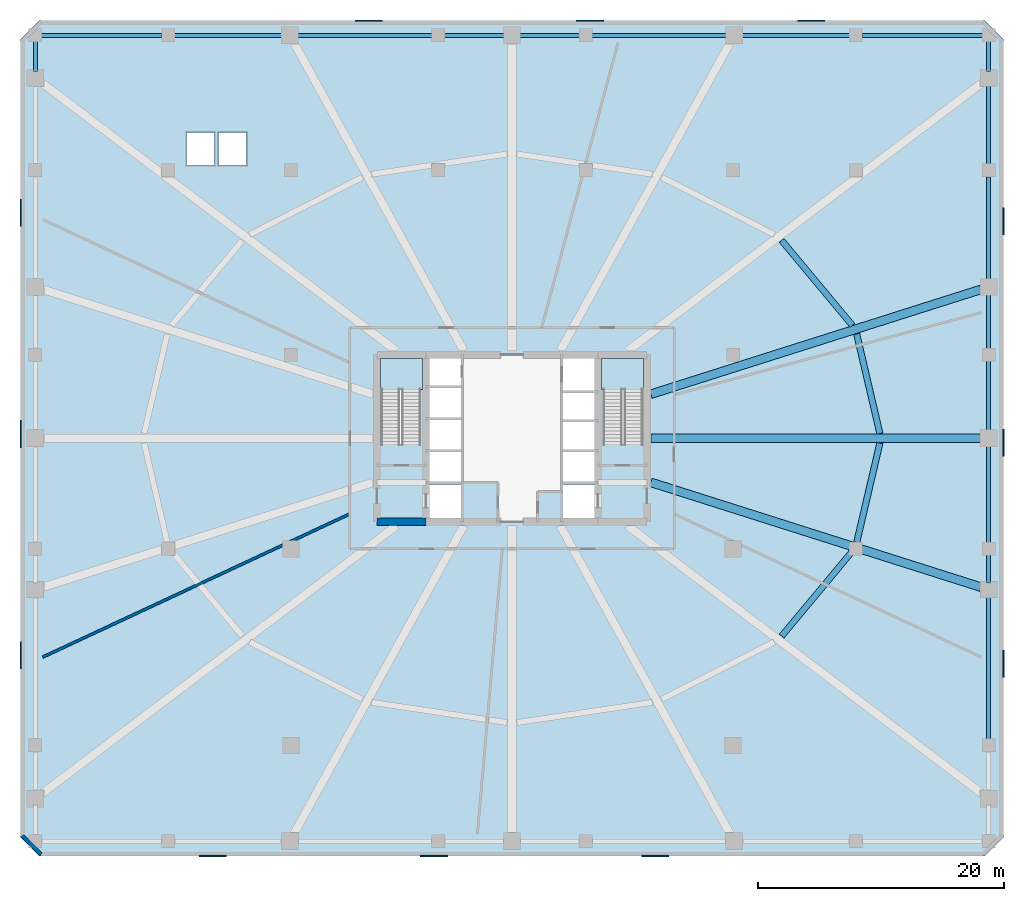
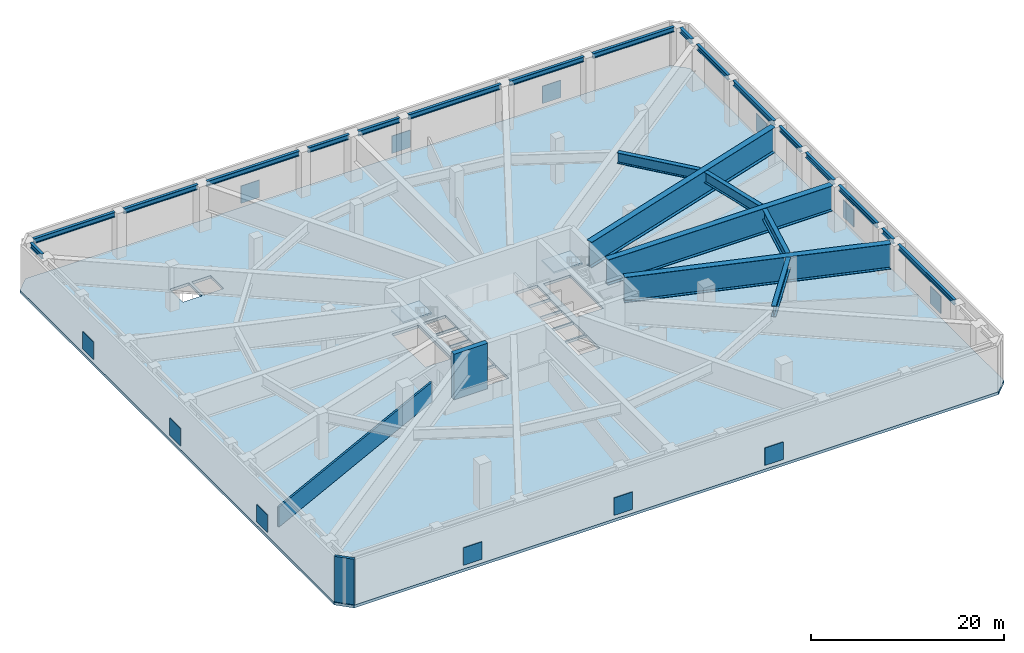
# One storey, part 2 of 9: 24 beams, 12 plates, 3 slabs, 3 walls, 2 elements without a shape of their own.
"""IFC4 building model written with IfcOpenShell, lengths in metres."""

from ifc_helpers import new_model, si_unit, direction, frame, frame_2d, origin, origin_2d, place, context, subcontext, project, spatial, polyline, rectangle, i_section, outline, extrude, material, layer, layer_set, material_profile, profile_set, type_object, element, aggregate, save


model = new_model("IFC4")

# Units and contexts
model_context = context("Model", 3, precision=1e-05, world=origin(), true_north=direction((0.0, 1.0)))
body_context = subcontext(model_context, "Body", "Model", "MODEL_VIEW")
ifc_project = project(units=[si_unit("LENGTHUNIT", "METRE"), si_unit("AREAUNIT", "SQUARE_METRE"), si_unit("VOLUMEUNIT", "CUBIC_METRE"), si_unit("PLANEANGLEUNIT", "RADIAN"), si_unit("MASSUNIT", "GRAM", prefix="KILO")], contexts=[model_context])

# Site, building, storey
site_placement = place(None, origin())
site = spatial("IfcSite", under=ifc_project, at=site_placement, CompositionType="ELEMENT")
building_placement = place(site_placement, origin())
building = spatial("IfcBuilding", under=site, at=building_placement, Name="Sarneth Arch Tower", CompositionType="ELEMENT")
storey_placement = place(building_placement, frame((0.0, 0.0, 22.199951171875)))
storey = spatial("IfcBuildingStorey", under=building, at=storey_placement, Name="L04", CompositionType="ELEMENT", Elevation=22.199951171875)

# Beams
ifc_material_1 = material(Name="Steel S355", Category="steel")
ifc_material_profile_1 = material_profile(ifc_material_1, i_section(OverallWidth=0.3291015625, OverallDepth=0.635009765625, WebThickness=0.017822265625, FlangeThickness=0.031005859375, FilletRadius=0.01904296875, at=origin_2d()), Name="W610x241")
ifc_profile_set_1 = profile_set([ifc_material_profile_1], Name="Steel S355")
beam_type_1 = type_object("IfcBeamType", Name="BM-POD-610", PredefinedType="BEAM", material=ifc_profile_set_1)
beam_1_placement = place(storey_placement, frame((9.719970703125, 74.800048828125, 5.4326171875), z_axis=(1.0, 0.0, 0.0), x_axis=(0.0, 1.0, 0.0)))
element("IfcBeam", 1, at=beam_1_placement, inside=storey, type_object=beam_type_1, Name="L04 Podium PN girder 1", PredefinedType="BEAM", context=body_context, shape_type="SweptSolid", body=[
    extrude(i_section(OverallWidth=0.3291015625, OverallDepth=0.635009765625, WebThickness=0.017822265625, FlangeThickness=0.031005859375, FilletRadius=0.01904296875, at=origin_2d()), origin(), (0.0, 0.0, 1.0), 9.760009765625),
])
beam_2_placement = place(storey_placement, frame((20.52001953125, 74.800048828125, 5.4326171875), z_axis=(1.0, 0.0, 0.0), x_axis=(0.0, 1.0, 0.0)))
element("IfcBeam", 2, at=beam_2_placement, inside=storey, type_object=beam_type_1, Name="L04 Podium PN girder 2", PredefinedType="BEAM", context=body_context, shape_type="SweptSolid", body=[
    extrude(i_section(OverallWidth=0.3291015625, OverallDepth=0.635009765625, WebThickness=0.017822265625, FlangeThickness=0.031005859375, FilletRadius=0.01904296875, at=origin_2d()), origin(), (0.0, 0.0, 1.0), 8.87548828125),
])
beam_3_placement = place(storey_placement, frame((30.435546875, 74.800048828125, 5.4326171875), z_axis=(1.0, 0.0, 0.0), x_axis=(0.0, 1.0, 0.0)))
element("IfcBeam", 3, at=beam_3_placement, inside=storey, type_object=beam_type_1, Name="L04 Podium PN girder 3", PredefinedType="BEAM", context=body_context, shape_type="SweptSolid", body=[
    extrude(i_section(OverallWidth=0.3291015625, OverallDepth=0.635009765625, WebThickness=0.017822265625, FlangeThickness=0.031005859375, FilletRadius=0.01904296875, at=origin_2d()), origin(), (0.0, 0.0, 1.0), 11.04443359375),
])
for number, where, z_axis, x_axis, name in (
    (4, (42.52001953125, 74.800048828125, 5.4326171875), (1.0, 0.0, 0.0), (0.0, 1.0, 0.0), "L04 Podium PN girder 4"),
    (5, (48.52001953125, 74.800048828125, 5.4326171875), (1.0, 0.0, 0.0), (0.0, 1.0, 0.0), "L04 Podium PN girder 5"),
):
    element("IfcBeam", number, at=place(storey_placement, frame(where, z_axis=z_axis, x_axis=x_axis)), inside=storey, type_object=beam_type_1, Name=name, PredefinedType="BEAM", context=body_context, shape_type="SweptSolid", body=[
        extrude(i_section(OverallWidth=0.3291015625, OverallDepth=0.635009765625, WebThickness=0.017822265625, FlangeThickness=0.031005859375, FilletRadius=0.01904296875, at=origin_2d()), origin(), (0.0, 0.0, 1.0), 4.9599609375),
    ])
beam_4_placement = place(storey_placement, frame((54.52001953125, 74.800048828125, 5.4326171875), z_axis=(1.0, 0.0, 0.0), x_axis=(0.0, 1.0, 0.0)))
element("IfcBeam", 6, at=beam_4_placement, inside=storey, type_object=beam_type_1, Name="L04 Podium PN girder 6", PredefinedType="BEAM", context=body_context, shape_type="SweptSolid", body=[
    extrude(i_section(OverallWidth=0.3291015625, OverallDepth=0.635009765625, WebThickness=0.017822265625, FlangeThickness=0.031005859375, FilletRadius=0.01904296875, at=origin_2d()), origin(), (0.0, 0.0, 1.0), 11.04443359375),
])
beam_5_placement = place(storey_placement, frame((66.6044921875, 74.800048828125, 5.4326171875), z_axis=(1.0, 0.0, 0.0), x_axis=(0.0, 1.0, 0.0)))
element("IfcBeam", 7, at=beam_5_placement, inside=storey, type_object=beam_type_1, Name="L04 Podium PN girder 7", PredefinedType="BEAM", context=body_context, shape_type="SweptSolid", body=[
    extrude(i_section(OverallWidth=0.3291015625, OverallDepth=0.635009765625, WebThickness=0.017822265625, FlangeThickness=0.031005859375, FilletRadius=0.01904296875, at=origin_2d()), origin(), (0.0, 0.0, 1.0), 8.87548828125),
])
beam_6_placement = place(storey_placement, frame((76.52001953125, 74.800048828125, 5.4326171875), z_axis=(1.0, 0.0, 0.0), x_axis=(0.0, 1.0, 0.0)))
element("IfcBeam", 8, at=beam_6_placement, inside=storey, type_object=beam_type_1, Name="L04 Podium PN girder 8", PredefinedType="BEAM", context=body_context, shape_type="SweptSolid", body=[
    extrude(i_section(OverallWidth=0.3291015625, OverallDepth=0.635009765625, WebThickness=0.017822265625, FlangeThickness=0.031005859375, FilletRadius=0.01904296875, at=origin_2d()), origin(), (0.0, 0.0, 1.0), 9.760009765625),
])
beam_7_placement = place(storey_placement, frame((9.199951171875, 71.856689453125, 5.4326171875), z_axis=(0.0, 1.0, 0.0), x_axis=(-1.0, 0.0, 0.0)))
element("IfcBeam", 9, at=beam_7_placement, inside=storey, type_object=beam_type_1, Name="L04 Podium PW girder 10", PredefinedType="BEAM", context=body_context, shape_type="SweptSolid", body=[
    extrude(i_section(OverallWidth=0.3291015625, OverallDepth=0.635009765625, WebThickness=0.017822265625, FlangeThickness=0.031005859375, FilletRadius=0.01904296875, at=origin_2d()), origin(), (0.0, 0.0, 1.0), 2.42333984375),
])
beam_8_placement = place(storey_placement, frame((86.800048828125, 17.52001953125, 5.4326171875), z_axis=(0.0, 1.0, 0.0), x_axis=(-1.0, 0.0, 0.0)))
element("IfcBeam", 10, at=beam_8_placement, inside=storey, type_object=beam_type_1, Name="L04 Podium PE girder 3", PredefinedType="BEAM", context=body_context, shape_type="SweptSolid", body=[
    extrude(i_section(OverallWidth=0.3291015625, OverallDepth=0.635009765625, WebThickness=0.017822265625, FlangeThickness=0.031005859375, FilletRadius=0.01904296875, at=origin_2d()), origin(), (0.0, 0.0, 1.0), 11.64208984375),
])
beam_9_placement = place(storey_placement, frame((86.800048828125, 30.2021484375, 5.4326171875), z_axis=(0.0, 1.0, 0.0), x_axis=(-1.0, 0.0, 0.0)))
element("IfcBeam", 11, at=beam_9_placement, inside=storey, type_object=beam_type_1, Name="L04 Podium PE girder 4", PredefinedType="BEAM", context=body_context, shape_type="SweptSolid", body=[
    extrude(i_section(OverallWidth=0.3291015625, OverallDepth=0.635009765625, WebThickness=0.017822265625, FlangeThickness=0.031005859375, FilletRadius=0.01904296875, at=origin_2d()), origin(), (0.0, 0.0, 1.0), 2.27783203125),
])
beam_10_placement = place(storey_placement, frame((86.800048828125, 33.52001953125, 5.4326171875), z_axis=(0.0, 1.0, 0.0), x_axis=(-1.0, 0.0, 0.0)))
element("IfcBeam", 12, at=beam_10_placement, inside=storey, type_object=beam_type_1, Name="L04 Podium PE girder 5", PredefinedType="BEAM", context=body_context, shape_type="SweptSolid", body=[
    extrude(i_section(OverallWidth=0.3291015625, OverallDepth=0.635009765625, WebThickness=0.017822265625, FlangeThickness=0.031005859375, FilletRadius=0.01904296875, at=origin_2d()), origin(), (0.0, 0.0, 1.0), 7.9599609375),
])
beam_11_placement = place(storey_placement, frame((86.800048828125, 42.52001953125, 5.4326171875), z_axis=(0.0, 1.0, 0.0), x_axis=(-1.0, 0.0, 0.0)))
element("IfcBeam", 13, at=beam_11_placement, inside=storey, type_object=beam_type_1, Name="L04 Podium PE girder 6", PredefinedType="BEAM", context=body_context, shape_type="SweptSolid", body=[
    extrude(i_section(OverallWidth=0.3291015625, OverallDepth=0.635009765625, WebThickness=0.017822265625, FlangeThickness=0.031005859375, FilletRadius=0.01904296875, at=origin_2d()), origin(), (0.0, 0.0, 1.0), 5.760009765625),
])
beam_12_placement = place(storey_placement, frame((86.800048828125, 49.320068359375, 5.4326171875), z_axis=(0.0, 1.0, 0.0), x_axis=(-1.0, 0.0, 0.0)))
element("IfcBeam", 14, at=beam_12_placement, inside=storey, type_object=beam_type_1, Name="L04 Podium PE girder 7", PredefinedType="BEAM", context=body_context, shape_type="SweptSolid", body=[
    extrude(i_section(OverallWidth=0.3291015625, OverallDepth=0.635009765625, WebThickness=0.017822265625, FlangeThickness=0.031005859375, FilletRadius=0.01904296875, at=origin_2d()), origin(), (0.0, 0.0, 1.0), 4.477783203125),
])
beam_13_placement = place(storey_placement, frame((86.800048828125, 54.837890625, 5.4326171875), z_axis=(0.0, 1.0, 0.0), x_axis=(-1.0, 0.0, 0.0)))
element("IfcBeam", 15, at=beam_13_placement, inside=storey, type_object=beam_type_1, Name="L04 Podium PE girder 8", PredefinedType="BEAM", context=body_context, shape_type="SweptSolid", body=[
    extrude(i_section(OverallWidth=0.3291015625, OverallDepth=0.635009765625, WebThickness=0.017822265625, FlangeThickness=0.031005859375, FilletRadius=0.01904296875, at=origin_2d()), origin(), (0.0, 0.0, 1.0), 8.442138671875),
])
beam_14_placement = place(storey_placement, frame((86.800048828125, 64.320068359375, 5.4326171875), z_axis=(0.0, 1.0, 0.0), x_axis=(-1.0, 0.0, 0.0)))
element("IfcBeam", 16, at=beam_14_placement, inside=storey, type_object=beam_type_1, Name="L04 Podium PE girder 9", PredefinedType="BEAM", context=body_context, shape_type="SweptSolid", body=[
    extrude(i_section(OverallWidth=0.3291015625, OverallDepth=0.635009765625, WebThickness=0.017822265625, FlangeThickness=0.031005859375, FilletRadius=0.01904296875, at=origin_2d()), origin(), (0.0, 0.0, 1.0), 6.49658203125),
])
beam_15_placement = place(storey_placement, frame((86.800048828125, 71.856689453125, 5.4326171875), z_axis=(0.0, 1.0, 0.0), x_axis=(-1.0, 0.0, 0.0)))
element("IfcBeam", 17, at=beam_15_placement, inside=storey, type_object=beam_type_1, Name="L04 Podium PE girder 10", PredefinedType="BEAM", context=body_context, shape_type="SweptSolid", body=[
    extrude(i_section(OverallWidth=0.3291015625, OverallDepth=0.635009765625, WebThickness=0.017822265625, FlangeThickness=0.031005859375, FilletRadius=0.01904296875, at=origin_2d()), origin(), (0.0, 0.0, 1.0), 2.42333984375),
])
ifc_material_2 = material(Name="Steel S355", Category="steel")
ifc_material_profile_2 = material_profile(ifc_material_2, i_section(OverallWidth=0.5, OverallDepth=1.35009765625, WebThickness=0.02197265625, FlangeThickness=0.044921875, FilletRadius=0.02392578125, at=origin_2d()), Name="CVS1350x595")
ifc_profile_set_2 = profile_set([ifc_material_profile_2], Name="Steel S355")
beam_type_2 = type_object("IfcBeamType", Name="BM-XFER-1350", PredefinedType="BEAM", material=ifc_profile_set_2)
beam_16_placement = place(storey_placement, frame((77.944091796875, 42.3896484375, 5.074951171875), z_axis=(-0.226990172458, 0.973897048772, 0.0), x_axis=(-0.973897048772, -0.226990172458, 0.0)))
element("IfcBeam", 18, at=beam_16_placement, inside=storey, type_object=beam_type_2, Name="L04 Ring transfer tie girder 01", PredefinedType="BEAM", context=body_context, shape_type="SweptSolid", body=[
    extrude(i_section(OverallWidth=0.5, OverallDepth=1.35009765625, WebThickness=0.02197265625, FlangeThickness=0.044921875, FilletRadius=0.02392578125, at=origin_2d()), origin(), (0.0, 0.0, 1.0), 8.316162109375),
])
for number, where, z_axis, x_axis, name in (
    (19, (75.70947265625, 51.185546875, 5.074951171875), (-0.639984157624, 0.768388103753, 0.0), (-0.768388103753, -0.639984157624, 0.0), "L04 Ring transfer tie girder 02"),
    (20, (69.95263671875, 25.902587890625, 5.074951171875), (0.639984157624, 0.768388103753, 0.0), (-0.768388103753, 0.639984157624, 0.0), "L04 Ring transfer tie girder 15"),
):
    element("IfcBeam", number, at=place(storey_placement, frame(where, z_axis=z_axis, x_axis=x_axis)), inside=storey, type_object=beam_type_2, Name=name, PredefinedType="BEAM", context=body_context, shape_type="SweptSolid", body=[
        extrude(i_section(OverallWidth=0.5, OverallDepth=1.35009765625, WebThickness=0.02197265625, FlangeThickness=0.044921875, FilletRadius=0.02392578125, at=origin_2d()), origin(), (0.0, 0.0, 1.0), 8.995361328125),
    ])
beam_17_placement = place(storey_placement, frame((76.056396484375, 33.51123046875, 5.074951171875), z_axis=(0.226990172458, 0.973897048772, 0.0), x_axis=(-0.973897048772, 0.226990172458, 0.0)))
element("IfcBeam", 21, at=beam_17_placement, inside=storey, type_object=beam_type_2, Name="L04 Ring transfer tie girder 16", PredefinedType="BEAM", context=body_context, shape_type="SweptSolid", body=[
    extrude(i_section(OverallWidth=0.5, OverallDepth=1.35009765625, WebThickness=0.02197265625, FlangeThickness=0.044921875, FilletRadius=0.02392578125, at=origin_2d()), origin(), (0.0, 0.0, 1.0), 8.316162109375),
])
ifc_material_3 = material(Name="Steel S355", Category="steel")
ifc_material_profile_3 = material_profile(ifc_material_3, i_section(OverallWidth=0.699951171875, OverallDepth=3.199951171875, WebThickness=0.028076171875, FlangeThickness=0.0400390625, FilletRadius=0.02587890625, at=origin_2d()), Name="CVS3200x1090")
ifc_profile_set_3 = profile_set([ifc_material_profile_3], Name="Steel S355")
beam_type_3 = type_object("IfcBeamType", Name="BM-XFER-3200", PredefinedType="BEAM", material=ifc_profile_set_3)
beam_18_placement = place(storey_placement, frame((59.300048828125, 42.0, 4.150146484375), z_axis=(1.0, 0.0, 0.0), x_axis=(0.0, 1.0, 0.0)))
element("IfcBeam", 22, at=beam_18_placement, inside=storey, type_object=beam_type_3, Name="L04 Radial transfer girder 01", PredefinedType="BEAM", context=body_context, shape_type="SweptSolid", body=[
    extrude(i_section(OverallWidth=0.699951171875, OverallDepth=3.199951171875, WebThickness=0.028076171875, FlangeThickness=0.0400390625, FilletRadius=0.02587890625, at=origin_2d()), origin(), (0.0, 0.0, 1.0), 26.849853515625),
])
for number, where, z_axis, x_axis, name in (
    (23, (59.300048828125, 45.58740234375, 4.150146484375), (0.953119313541, 0.302594735834, 0.0), (-0.302594735834, 0.953119313541, 0.0), "L04 Radial transfer girder 02"),
    (24, (59.300048828125, 38.41259765625, 4.150146484375), (0.953119313541, -0.302594735834, 0.0), (0.302594735834, 0.953119313541, 0.0), "L04 Radial transfer girder 16"),
):
    element("IfcBeam", number, at=place(storey_placement, frame(where, z_axis=z_axis, x_axis=x_axis)), inside=storey, type_object=beam_type_3, Name=name, PredefinedType="BEAM", context=body_context, shape_type="SweptSolid", body=[
        extrude(i_section(OverallWidth=0.699951171875, OverallDepth=3.199951171875, WebThickness=0.028076171875, FlangeThickness=0.0400390625, FilletRadius=0.02587890625, at=origin_2d()), origin(), (0.0, 0.0, 1.0), 28.20263671875),
    ])

# Plates
ifc_material_4 = material(Name="Powder-coated Aluminium 6063-T6 stormproof acoustic louvre", Category="aluminium")
ifc_layer_1 = layer(ifc_material_4, 0.094970703125)
ifc_layer_set_1 = layer_set([ifc_layer_1], Name="Powder-coated Aluminium 6063-T6 stormproof acoustic louvre")
plate_type = type_object("IfcPlateType", Name="LOUVRE-PLANT", PredefinedType="SHEET", material=ifc_layer_set_1)
for number, where, z_axis, x_axis, name in (
    (25, (23.64990234375, 8.0, 0.5), (0.0, 0.0, 1.0), (1.0, 0.0, 0.0), "L04 Plant intake louvre 1.1"),
    (26, (41.64990234375, 8.0, 0.5), (0.0, 0.0, 1.0), (1.0, 0.0, 0.0), "L04 Plant intake louvre 1.2"),
    (27, (59.64990234375, 8.0, 0.5), (0.0, 0.0, 1.0), (1.0, 0.0, 0.0), "L04 Plant intake louvre 1.3"),
    (28, (88.0, 23.64990234375, 0.5), (0.0, 0.0, 1.0), (0.0, 1.0, 0.0), "L04 Plant intake louvre 3.1"),
    (29, (88.0, 41.64990234375, 0.5), (0.0, 0.0, 1.0), (0.0, 1.0, 0.0), "L04 Plant intake louvre 3.2"),
    (30, (88.0, 59.64990234375, 0.5), (0.0, 0.0, 1.0), (0.0, 1.0, 0.0), "L04 Plant intake louvre 3.3"),
    (31, (72.35009765625, 76.0, 0.5), (0.0, 0.0, 1.0), (-1.0, 0.0, 0.0), "L04 Plant intake louvre 5.1"),
    (32, (54.35009765625, 76.0, 0.5), (0.0, 0.0, 1.0), (-1.0, 0.0, 0.0), "L04 Plant intake louvre 5.2"),
    (33, (36.35009765625, 76.0, 0.5), (0.0, 0.0, 1.0), (-1.0, 0.0, 0.0), "L04 Plant intake louvre 5.3"),
    (34, (8.0, 60.35009765625, 0.5), (0.0, 0.0, 1.0), (0.0, -1.0, 0.0), "L04 Plant intake louvre 7.1"),
    (35, (8.0, 42.35009765625, 0.5), (0.0, 0.0, 1.0), (0.0, -1.0, 0.0), "L04 Plant intake louvre 7.2"),
    (36, (8.0, 24.35009765625, 0.5), (0.0, 0.0, 1.0), (0.0, -1.0, 0.0), "L04 Plant intake louvre 7.3"),
):
    element("IfcPlate", number, at=place(storey_placement, frame(where, z_axis=z_axis, x_axis=x_axis)), inside=storey, type_object=plate_type, Name=name, PredefinedType="SHEET", context=body_context, shape_type="SweptSolid", body=[
        extrude(rectangle(XDim=2.199951171875, YDim=0.094970703125, at=origin_2d()), origin(), (0.0, 0.0, 1.0), 2.199951171875),
    ])

# Stair, slab
ifc_material_5 = material(Name="Concrete C50/60", Category="concrete")
stair_type = type_object("IfcStairType", Name="STAIR-CORE-RC", PredefinedType="HALF_TURN_STAIR", material=ifc_material_5)
stair_1_placement = place(storey_placement, origin())
stair_1 = element("IfcStair", 37, at=stair_1_placement, inside=storey, type_object=stair_type, Name="L04 Core Exit Stair 1", PredefinedType="HALF_TURN_STAIR")
ifc_material_6 = material(Name="Concrete C50/60", Category="concrete")
ifc_layer_2 = layer(ifc_material_6, 0.199951171875)
ifc_layer_set_2 = layer_set([ifc_layer_2], Name="Concrete C50/60")
slab_type_1 = type_object("IfcSlabType", Name="SLAB-LANDING-200", PredefinedType="LANDING", material=ifc_layer_set_2)
slab_1_placement = place(storey_placement, frame((0.0, 0.0, 2.800048828125)))
slab_1 = element("IfcSlab", 38, at=slab_1_placement, type_object=slab_type_1, Name="ST-1 landing 1", PredefinedType="LANDING", context=body_context, shape_type="SweptSolid", body=[
    extrude(outline(polyline([(37.300048828125, 45.97998046875), (40.699951171875, 45.97998046875), (40.699951171875, 48.5), (37.300048828125, 48.5), (37.300048828125, 45.97998046875)])), origin(), (0.0, 0.0, 1.0), 0.199951171875),
])
aggregate(stair_1, [slab_1])

stair_2_placement = place(storey_placement, origin())
stair_2 = element("IfcStair", 39, at=stair_2_placement, inside=storey, type_object=stair_type, Name="L04 Core Exit Stair 2", PredefinedType="HALF_TURN_STAIR")
slab_2_placement = place(storey_placement, frame((0.0, 0.0, 2.800048828125)))
slab_2 = element("IfcSlab", 40, at=slab_2_placement, type_object=slab_type_1, Name="ST-2 landing 1", PredefinedType="LANDING", context=body_context, shape_type="SweptSolid", body=[
    extrude(outline(polyline([(55.300048828125, 45.97998046875), (58.699951171875, 45.97998046875), (58.699951171875, 48.5), (55.300048828125, 48.5), (55.300048828125, 45.97998046875)])), origin(), (0.0, 0.0, 1.0), 0.199951171875),
])
aggregate(stair_2, [slab_2])

# Slab
ifc_material_7 = material(Name="Concrete C60/75", Category="concrete")
ifc_layer_3 = layer(ifc_material_7, 0.35009765625)
ifc_layer_set_3 = layer_set([ifc_layer_3], Name="Concrete C60/75")
slab_type_2 = type_object("IfcSlabType", Name="SLAB-XFER-350", PredefinedType="FLOOR", material=ifc_layer_set_3)
slab_3_placement = place(storey_placement, frame((0.0, 0.0, -0.349853515625)))
element("IfcSlab", 41, at=slab_3_placement, inside=storey, type_object=slab_type_2, Name="L04 Podium bridge and transfer slab", PredefinedType="FLOOR", context=body_context, shape_type="SweptSolid", body=[
    extrude(outline(polyline([(9.5, 8.0), (86.5, 8.0), (88.0, 9.5), (88.0, 74.5), (86.5, 76.0), (9.5, 76.0), (8.0, 74.5), (8.0, 9.5), (9.5, 8.0)]), holes=[polyline([(37.35009765625, 41.489990234375), (40.550048828125, 41.489990234375), (40.550048828125, 48.39990234375), (37.35009765625, 48.39990234375), (37.35009765625, 41.489990234375)]), polyline([(55.449951171875, 41.489990234375), (58.64990234375, 41.489990234375), (58.64990234375, 48.39990234375), (55.449951171875, 48.39990234375), (55.449951171875, 41.489990234375)]), polyline([(41.199951171875, 46.25), (43.85009765625, 46.25), (43.85009765625, 48.550048828125), (41.199951171875, 48.550048828125), (41.199951171875, 46.25)]), polyline([(41.300048828125, 35.449951171875), (43.85009765625, 35.449951171875), (43.85009765625, 38.25), (41.300048828125, 38.25), (41.300048828125, 35.449951171875)]), polyline([(52.14990234375, 35.449951171875), (54.699951171875, 35.449951171875), (54.699951171875, 38.25), (52.14990234375, 38.25), (52.14990234375, 35.449951171875)]), polyline([(52.14990234375, 45.85009765625), (54.800048828125, 45.85009765625), (54.800048828125, 48.550048828125), (52.14990234375, 48.550048828125), (52.14990234375, 45.85009765625)]), polyline([(41.300048828125, 38.449951171875), (43.85009765625, 38.449951171875), (43.85009765625, 40.89990234375), (41.300048828125, 40.89990234375), (41.300048828125, 38.449951171875)]), polyline([(41.300048828125, 41.050048828125), (43.85009765625, 41.050048828125), (43.85009765625, 43.5), (41.300048828125, 43.5), (41.300048828125, 41.050048828125)]), polyline([(41.300048828125, 43.64990234375), (43.85009765625, 43.64990234375), (43.85009765625, 46.10009765625), (41.300048828125, 46.10009765625), (41.300048828125, 43.64990234375)]), polyline([(52.14990234375, 38.449951171875), (54.699951171875, 38.449951171875), (54.699951171875, 40.89990234375), (52.14990234375, 40.89990234375), (52.14990234375, 38.449951171875)]), polyline([(52.14990234375, 41.050048828125), (54.699951171875, 41.050048828125), (54.699951171875, 43.35009765625), (52.14990234375, 43.35009765625), (52.14990234375, 41.050048828125)]), polyline([(52.14990234375, 43.5), (54.699951171875, 43.5), (54.699951171875, 45.75), (52.14990234375, 45.75), (52.14990234375, 43.5)]), polyline([(21.5, 64.199951171875), (23.800048828125, 64.199951171875), (23.800048828125, 66.89990234375), (21.5, 66.89990234375), (21.5, 64.199951171875)]), polyline([(24.10009765625, 64.199951171875), (26.39990234375, 64.199951171875), (26.39990234375, 66.89990234375), (24.10009765625, 66.89990234375), (24.10009765625, 64.199951171875)])]), origin(), (0.0, 0.0, 1.0), 0.349853515625),
])

# Walls
ifc_material_8 = material(Name="Concrete C60/75", Category="concrete")
ifc_layer_4 = layer(ifc_material_8, 0.60009765625)
ifc_layer_set_4 = layer_set([ifc_layer_4], Name="Concrete C60/75")
wall_type_1 = type_object("IfcWallType", Name="WALL-CORE-600", PredefinedType="SHEAR", material=ifc_layer_set_4)
wall_1_placement = place(storey_placement, frame((37.0, 35.199951171875, 0.0), z_axis=(0.0, 0.0, 1.0), x_axis=(1.0, 0.0, 0.0)))
element("IfcWall", 42, at=wall_1_placement, inside=storey, type_object=wall_type_1, Name="L04 Core shear wall S-W", PredefinedType="SHEAR", context=body_context, shape_type="SweptSolid", body=[
    extrude(rectangle(XDim=4.0, YDim=0.60009765625, at=frame_2d((2.0, 0.0))), origin(), (0.0, 0.0, 1.0), 5.75),
])
ifc_material_9 = material(Name="Extruded terracotta rainscreen on Concrete C40/50 backing", Category="masonry")
ifc_layer_5 = layer(ifc_material_9, 0.300048828125)
ifc_layer_set_5 = layer_set([ifc_layer_5], Name="Extruded terracotta rainscreen on Concrete C40/50 backing")
wall_type_2 = type_object("IfcWallType", Name="WALL-EXT-ACOUST-300", PredefinedType="SOLIDWALL", material=ifc_layer_set_5)
wall_2_placement = place(storey_placement, frame((8.14990234375, 9.64990234375, 0.0), z_axis=(0.0, 0.0, 1.0), x_axis=(0.707106781187, -0.707106781187, 0.0)))
element("IfcWall", 43, at=wall_2_placement, inside=storey, type_object=wall_type_2, Name="L04 Podium corner wall 8", PredefinedType="SOLIDWALL", context=body_context, shape_type="SweptSolid", body=[
    extrude(rectangle(XDim=2.121337890625, YDim=0.300048828125, at=frame_2d((1.060546875, 0.0))), origin(), (0.0, 0.0, 1.0), 5.75),
])
ifc_material_10 = material(Name="Aerated concrete blockwork C25/30", Category="masonry")
ifc_layer_6 = layer(ifc_material_10, 0.219970703125)
ifc_layer_set_6 = layer_set([ifc_layer_6], Name="Aerated concrete blockwork C25/30")
wall_type_3 = type_object("IfcWallType", Name="WALL-FIRE-220", PredefinedType="SOLIDWALL", material=ifc_layer_set_6)
wall_3_placement = place(storey_placement, frame((9.800048828125, 24.18701171875, 0.0), z_axis=(0.0, 0.0, 1.0), x_axis=(0.906307462258, 0.422618958231, 0.0)))
element("IfcWall", 44, at=wall_3_placement, inside=storey, type_object=wall_type_3, Name="L04 Interior partition W-L04-TP-014", PredefinedType="SOLIDWALL", context=body_context, shape_type="SweptSolid", body=[
    extrude(rectangle(XDim=27.58447265625, YDim=0.219970703125, at=frame_2d((13.792236328125, 0.0))), origin(), (0.0, 0.0, 1.0), 2.5),
])

save(model, "model.ifc")
